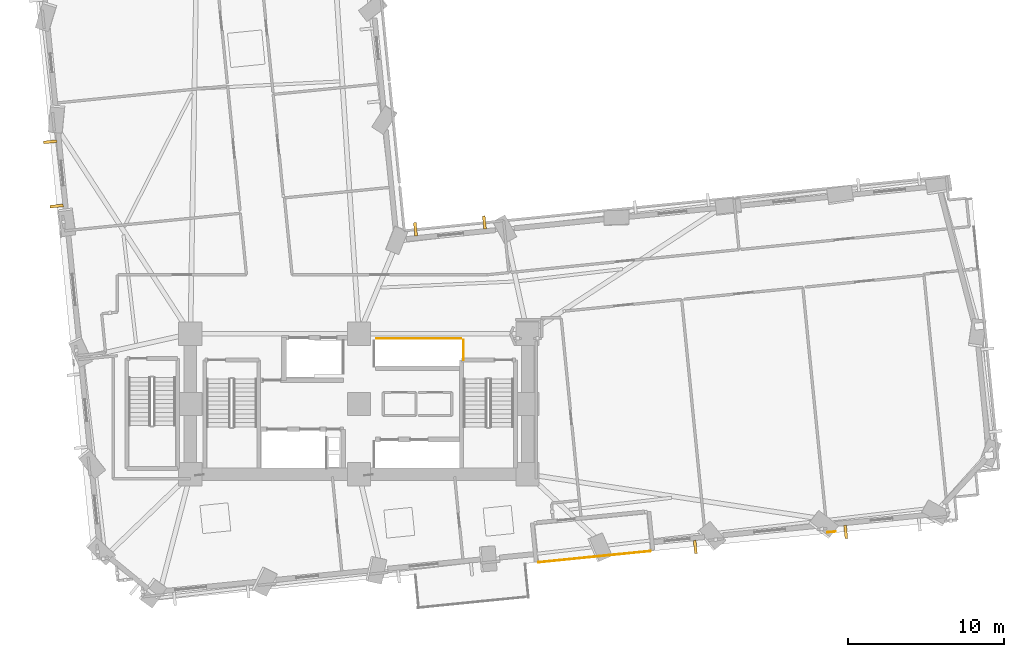
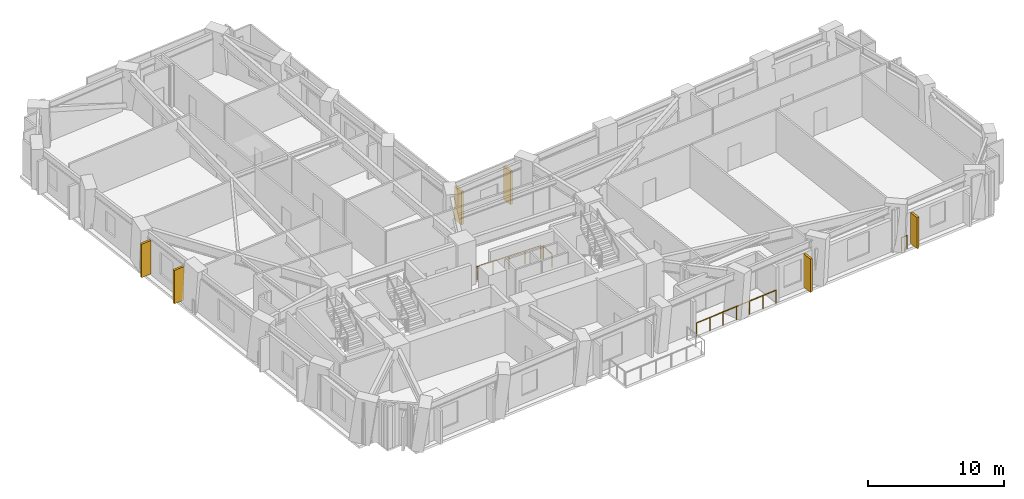
# One storey, part 14 of 16: 6 shading devices, 4 railings.
"""IFC4 building model written with IfcOpenShell, lengths in metres."""

from ifc_helpers import new_model, si_unit, direction, frame, origin, origin_2d, place, context, subcontext, project, spatial, rectangle, circle, extrude, material, layer, layer_set, type_object, element, save


model = new_model("IFC4")

# Units and contexts
model_context = context("Model", 3, precision=1e-05, world=origin(), true_north=direction((0.0, 1.0)))
body_context = subcontext(model_context, "Body", "Model", "MODEL_VIEW")
ifc_project = project(units=[si_unit("LENGTHUNIT", "METRE"), si_unit("AREAUNIT", "SQUARE_METRE"), si_unit("VOLUMEUNIT", "CUBIC_METRE"), si_unit("PLANEANGLEUNIT", "RADIAN"), si_unit("MASSUNIT", "GRAM", prefix="KILO")], contexts=[model_context])

# Site, building, storey
site_placement = place(None, origin())
site = spatial("IfcSite", under=ifc_project, at=site_placement, CompositionType="ELEMENT")
building_placement = place(site_placement, origin())
building = spatial("IfcBuilding", under=site, at=building_placement, Name="Gaonmaruhae Medical Tower", CompositionType="ELEMENT")
storey_placement = place(building_placement, frame((0.0, 0.0, 47.0)))
storey = spatial("IfcBuildingStorey", under=building, at=storey_placement, Name="L10", CompositionType="ELEMENT", Elevation=47.0)

# Railings
ifc_material_1 = material(Name="Stainless steel 316L and laminated safety glass", Category="steel")
ifc_layer = layer(ifc_material_1, 0.080078125)
ifc_layer_set = layer_set([ifc_layer], Name="Stainless steel 316L and laminated safety glass")
railing_type_1 = type_object("IfcRailingType", Name="GD-120 Outdoor Terrace Safety Glass & Steel Balustrade", PredefinedType="BALUSTRADE", material=ifc_layer_set)
railing_1_placement = place(storey_placement, frame((36.309326171875, 2.156982421875, 0.0)))
element("IfcRailing", 1, at=railing_1_placement, inside=storey, type_object=railing_type_1, Name="L10 Terrace Safety Guard RL-SLB-L10-TER-01", PredefinedType="BALUSTRADE", context=body_context, shape_type="SweptSolid", body=[
    extrude(circle(Radius=0.02392578125, at=origin_2d()), frame((0.0, 0.0, 1.17578125), z_axis=(0.9950522866, 0.099352639282, 0.0), x_axis=(-0.099352639282, 0.9950522866, 0.0)), (0.0, 0.0, 1.0), 7.199951171875),
    extrude(circle(Radius=0.02099609375, at=origin_2d()), origin(), (0.0, 0.0, 1.0), 1.15185546875),
    extrude(circle(Radius=0.02099609375, at=origin_2d()), frame((1.194091796875, 0.119140625, 0.0)), (0.0, 0.0, 1.0), 1.15185546875),
    extrude(circle(Radius=0.02099609375, at=origin_2d()), frame((2.38818359375, 0.238525390625, 0.0)), (0.0, 0.0, 1.0), 1.15185546875),
    extrude(circle(Radius=0.02099609375, at=origin_2d()), frame((3.58203125, 0.357666015625, 0.0)), (0.0, 0.0, 1.0), 1.15185546875),
    extrude(circle(Radius=0.02099609375, at=origin_2d()), frame((4.776123046875, 0.476806640625, 0.0)), (0.0, 0.0, 1.0), 1.15185546875),
    extrude(circle(Radius=0.02099609375, at=origin_2d()), frame((5.97021484375, 0.59619140625, 0.0)), (0.0, 0.0, 1.0), 1.15185546875),
    extrude(circle(Radius=0.02099609375, at=origin_2d()), frame((7.164306640625, 0.71533203125, 0.0)), (0.0, 0.0, 1.0), 1.15185546875),
])
railing_2_placement = place(storey_placement, frame((55.339599609375, 4.126953125, 0.0)))
element("IfcRailing", 2, at=railing_2_placement, inside=storey, type_object=railing_type_1, Name="L10 Perimeter Slab Edge Safety Balustrade 06", PredefinedType="BALUSTRADE", context=body_context, shape_type="SweptSolid", body=[
    extrude(circle(Radius=0.02392578125, at=origin_2d()), frame((0.0, 0.0, 1.17578125), z_axis=(-0.995065087089, -0.099224354147, 0.0), x_axis=(0.099224354147, -0.995065087089, 0.0)), (0.0, 0.0, 1.0), 0.51904296875),
    extrude(circle(Radius=0.02099609375, at=origin_2d()), origin(), (0.0, 0.0, 1.0), 1.15185546875),
    extrude(circle(Radius=0.02099609375, at=origin_2d()), frame((-0.5166015625, -0.051513671875, 0.0)), (0.0, 0.0, 1.0), 1.15185546875),
])

# Shading devices
ifc_material_2 = material(Name="Pigmented coral precast concrete C45/55", Category="concrete")
shading_device_type = type_object("IfcShadingDeviceType", Name="SD-FIN1 Tower Vertical Coral Precast Shading Fin", PredefinedType="USERDEFINED", material=ifc_material_2)
shading_device_1_placement = place(storey_placement, frame((46.347412109375, 3.14404296875, 0.072509765625), z_axis=(0.0, 0.0, 1.0), x_axis=(-0.995055569961, -0.099319749744, 0.0)))
element("IfcShadingDevice", 3, at=shading_device_1_placement, inside=storey, type_object=shading_device_type, Name="L10 Vertical Coral Precast Shading Fin S05", ObjectType="FIN", PredefinedType="USERDEFINED", context=body_context, shape_type="SweptSolid", body=[
    extrude(rectangle(XDim=0.179931640625, YDim=0.85009765625, at=origin_2d()), origin(), (0.0, 0.0, 1.0), 3.0),
])
shading_device_2_placement = place(storey_placement, frame((55.986328125, 4.106201171875, 0.0400390625), z_axis=(0.0, 0.0, 1.0), x_axis=(-0.995053836353, -0.099337116724, 0.0)))
element("IfcShadingDevice", 4, at=shading_device_2_placement, inside=storey, type_object=shading_device_type, Name="L10 Vertical Coral Precast Shading Fin S07B", ObjectType="FIN", PredefinedType="USERDEFINED", context=body_context, shape_type="SweptSolid", body=[
    extrude(rectangle(XDim=0.179931640625, YDim=0.85009765625, at=origin_2d()), origin(), (0.0, 0.0, 1.0), 2.784912109375),
])
for number, where, z_axis, x_axis, name in (
    (5, (28.421142578125, 23.494140625, 0.08251953125), (0.0, 0.0, 1.0), (0.995055569961, 0.099319749744, 0.0), "L10 Vertical Coral Precast Shading Fin EN04"),
    (6, (32.83544921875, 23.934814453125, 0.08251953125), (0.0, 0.0, 1.0), (0.995055569961, 0.099319749744, 0.0), "L10 Vertical Coral Precast Shading Fin EN04B"),
    (7, (5.427490234375, 24.98291015625, 0.08251953125), (0.0, 0.0, 1.0), (-0.099319749744, 0.995055569961, 0.0), "L10 Vertical Coral Precast Shading Fin W03"),
    (8, (5.0166015625, 29.100341796875, 0.08251953125), (0.0, 0.0, 1.0), (-0.099319749744, 0.995055569961, 0.0), "L10 Vertical Coral Precast Shading Fin W03B"),
):
    element("IfcShadingDevice", number, at=place(storey_placement, frame(where, z_axis=z_axis, x_axis=x_axis)), inside=storey, type_object=shading_device_type, Name=name, ObjectType="FIN", PredefinedType="USERDEFINED", context=body_context, shape_type="SweptSolid", body=[
        extrude(rectangle(XDim=0.179931640625, YDim=0.85009765625, at=origin_2d()), origin(), (0.0, 0.0, 1.0), 3.0),
    ])

# Railings
ifc_material_3 = material(Name="Stainless steel 304 balustrade", Category="steel")
railing_type_2 = type_object("IfcRailingType", Name="SG-112 Stair Well & Ramp Void Safety Balustrade", PredefinedType="BALUSTRADE", material=ifc_material_3)
railing_3_placement = place(storey_placement, frame((31.4951171875, 16.405029296875, 0.0)))
element("IfcRailing", 9, at=railing_3_placement, inside=storey, type_object=railing_type_2, Name="L10 Shaft Edge Safety Guard 13", PredefinedType="BALUSTRADE", context=body_context, shape_type="SweptSolid", body=[
    extrude(circle(Radius=0.02392578125, at=origin_2d()), frame((0.0, 0.0, 1.17578125), z_axis=(0.0, -1.0, 0.0), x_axis=(1.0, 0.0, 0.0)), (0.0, 0.0, 1.0), 1.284912109375),
    extrude(circle(Radius=0.02099609375, at=origin_2d()), origin(), (0.0, 0.0, 1.0), 1.15185546875),
    extrude(circle(Radius=0.02099609375, at=origin_2d()), frame((0.0, -1.284912109375, 0.0)), (0.0, 0.0, 1.0), 1.15185546875),
])
railing_4_placement = place(storey_placement, frame((25.919921875, 16.4951171875, 0.0)))
element("IfcRailing", 10, at=railing_4_placement, inside=storey, type_object=railing_type_2, Name="L10 Shaft Edge Safety Guard 15", PredefinedType="BALUSTRADE", context=body_context, shape_type="SweptSolid", body=[
    extrude(circle(Radius=0.02392578125, at=origin_2d()), frame((0.0, 0.0, 1.17578125), z_axis=(1.0, 0.0, 0.0), x_axis=(0.0, 1.0, 0.0)), (0.0, 0.0, 1.0), 5.41015625),
    extrude(circle(Radius=0.02099609375, at=origin_2d()), origin(), (0.0, 0.0, 1.0), 1.15185546875),
    extrude(circle(Radius=0.02099609375, at=origin_2d()), frame((1.3525390625, 0.0, 0.0)), (0.0, 0.0, 1.0), 1.15185546875),
    extrude(circle(Radius=0.02099609375, at=origin_2d()), frame((2.705078125, 0.0, 0.0)), (0.0, 0.0, 1.0), 1.15185546875),
    extrude(circle(Radius=0.02099609375, at=origin_2d()), frame((4.0576171875, 0.0, 0.0)), (0.0, 0.0, 1.0), 1.15185546875),
    extrude(circle(Radius=0.02099609375, at=origin_2d()), frame((5.41015625, 0.0, 0.0)), (0.0, 0.0, 1.0), 1.15185546875),
])

save(model, "model.ifc")
